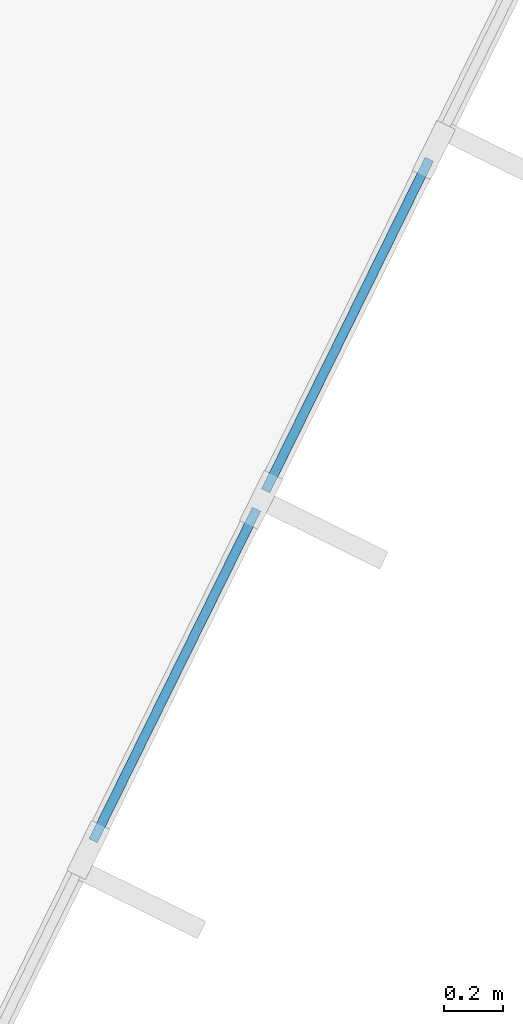
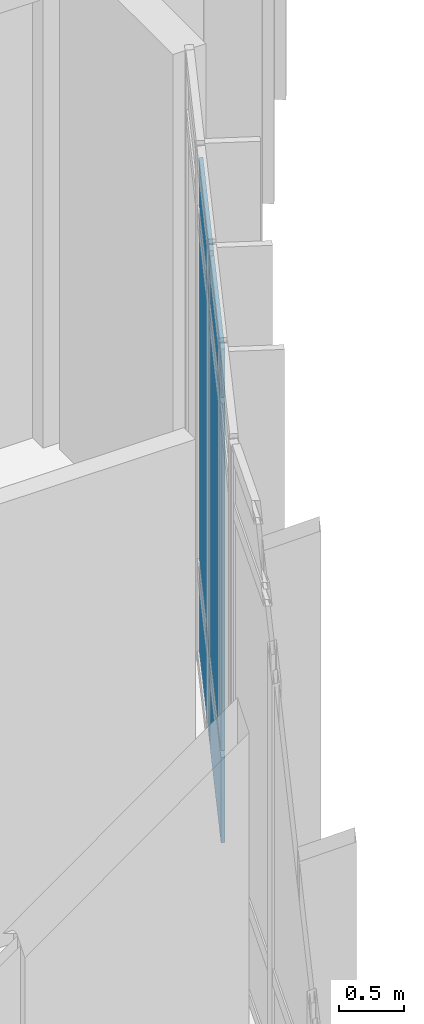
# One storey, part 82 of 134: 6 plates, 1 element without a shape of its own.
"""IFC4 building model written with IfcOpenShell, lengths in metres."""

from ifc_helpers import new_model, si_unit, direction, frame, origin, origin_2d, place, context, subcontext, project, spatial, rectangle, extrude, material, layer, layer_set, type_object, element, aggregate, save


model = new_model("IFC4")

# Units and contexts
model_context = context("Model", 3, precision=1e-05, world=origin(), true_north=direction((0.0, 1.0)))
body_context = subcontext(model_context, "Body", "Model", "MODEL_VIEW")
ifc_project = project(units=[si_unit("LENGTHUNIT", "METRE"), si_unit("AREAUNIT", "SQUARE_METRE"), si_unit("VOLUMEUNIT", "CUBIC_METRE"), si_unit("PLANEANGLEUNIT", "RADIAN"), si_unit("MASSUNIT", "GRAM", prefix="KILO")], contexts=[model_context])

# Site, building, storey
site_placement = place(None, origin())
site = spatial("IfcSite", under=ifc_project, at=site_placement, CompositionType="ELEMENT")
building_placement = place(site_placement, origin())
building = spatial("IfcBuilding", under=site, at=building_placement, Name="Bramfleet General Hospital", CompositionType="ELEMENT")
storey_placement = place(building_placement, frame((0.0, 0.0, 9.300048828125)))
storey = spatial("IfcBuildingStorey", under=building, at=storey_placement, Name="L02", CompositionType="ELEMENT", Elevation=9.300048828125)

# Curtain wall, plates
ifc_material_1 = material(Name="Anodised aluminium and low-E triple glazing", Category="aluminium")
ifc_layer_1 = layer(ifc_material_1, 0.179931640625, Name="CWT-CW-02")
ifc_layer_set_1 = layer_set([ifc_layer_1], Name="Anodised aluminium and low-E triple glazing")
curtain_wall_type = type_object("IfcCurtainWallType", Name="CWT-CW-02", PredefinedType="USERDEFINED", material=ifc_layer_set_1)
curtain_wall_placement = place(storey_placement, origin())
curtain_wall = element("IfcCurtainWall", 1, at=curtain_wall_placement, inside=storey, type_object=curtain_wall_type, Name="L02 Curtain Wall 110", ObjectType="Unitised curtain wall", PredefinedType="USERDEFINED")
ifc_material_2 = material(Name="Low-E laminated safety glass", Category="glass")
ifc_layer_2 = layer(ifc_material_2, 0.031982421875, Name="CWP-GLZ-2")
ifc_layer_set_2 = layer_set([ifc_layer_2], Name="Low-E laminated safety glass")
plate_type = type_object("IfcPlateType", Name="CWP-GLZ-2", PredefinedType="CURTAIN_PANEL", material=ifc_layer_set_2)
plate_1_placement = place(storey_placement, frame((133.520263671875, 63.342041015625, 0.06494140625), z_axis=(0.0, 0.0, 1.0), x_axis=(-0.442304948782, -0.896864723513, 0.0)))
plate_1 = element("IfcPlate", 2, at=plate_1_placement, type_object=plate_type, Name="CW-02 panel 2.1", PredefinedType="CURTAIN_PANEL", context=body_context, shape_type="SweptSolid", body=[
    extrude(rectangle(XDim=1.256103515625, YDim=0.031982421875, at=origin_2d()), origin(), (0.0, 0.0, 1.0), 0.802490234375),
])
plate_2_placement = place(storey_placement, frame((133.520263671875, 63.342041015625, 0.9326171875), z_axis=(0.0, 0.0, 1.0), x_axis=(-0.442304948782, -0.896864723513, 0.0)))
plate_2 = element("IfcPlate", 3, at=plate_2_placement, type_object=plate_type, Name="CW-02 panel 2.2", PredefinedType="CURTAIN_PANEL", context=body_context, shape_type="SweptSolid", body=[
    extrude(rectangle(XDim=1.256103515625, YDim=0.031982421875, at=origin_2d()), origin(), (0.0, 0.0, 1.0), 3.2548828125),
])
plate_3_placement = place(storey_placement, frame((133.520263671875, 63.342041015625, 4.25244140625), z_axis=(0.0, 0.0, 1.0), x_axis=(-0.442304948782, -0.896864723513, 0.0)))
plate_3 = element("IfcPlate", 4, at=plate_3_placement, type_object=plate_type, Name="CW-02 panel 2.3", PredefinedType="CURTAIN_PANEL", context=body_context, shape_type="SweptSolid", body=[
    extrude(rectangle(XDim=1.256103515625, YDim=0.031982421875, at=origin_2d()), origin(), (0.0, 0.0, 1.0), 0.452392578125),
])
plate_4_placement = place(storey_placement, frame((132.933837890625, 62.15283203125, 0.06494140625), z_axis=(0.0, 0.0, 1.0), x_axis=(-0.442304948782, -0.896864723513, 0.0)))
plate_4 = element("IfcPlate", 5, at=plate_4_placement, type_object=plate_type, Name="CW-02 panel 3.1", PredefinedType="CURTAIN_PANEL", context=body_context, shape_type="SweptSolid", body=[
    extrude(rectangle(XDim=1.256103515625, YDim=0.031982421875, at=origin_2d()), origin(), (0.0, 0.0, 1.0), 0.802490234375),
])
plate_5_placement = place(storey_placement, frame((132.933837890625, 62.15283203125, 0.9326171875), z_axis=(0.0, 0.0, 1.0), x_axis=(-0.442304948782, -0.896864723513, 0.0)))
plate_5 = element("IfcPlate", 6, at=plate_5_placement, type_object=plate_type, Name="CW-02 panel 3.2", PredefinedType="CURTAIN_PANEL", context=body_context, shape_type="SweptSolid", body=[
    extrude(rectangle(XDim=1.256103515625, YDim=0.031982421875, at=origin_2d()), origin(), (0.0, 0.0, 1.0), 3.2548828125),
])
plate_6_placement = place(storey_placement, frame((132.933837890625, 62.15283203125, 4.25244140625), z_axis=(0.0, 0.0, 1.0), x_axis=(-0.442304948782, -0.896864723513, 0.0)))
plate_6 = element("IfcPlate", 7, at=plate_6_placement, type_object=plate_type, Name="CW-02 panel 3.3", PredefinedType="CURTAIN_PANEL", context=body_context, shape_type="SweptSolid", body=[
    extrude(rectangle(XDim=1.256103515625, YDim=0.031982421875, at=origin_2d()), origin(), (0.0, 0.0, 1.0), 0.452392578125),
])
aggregate(curtain_wall, [plate_1, plate_2, plate_3, plate_4, plate_5, plate_6])

save(model, "model.ifc")
